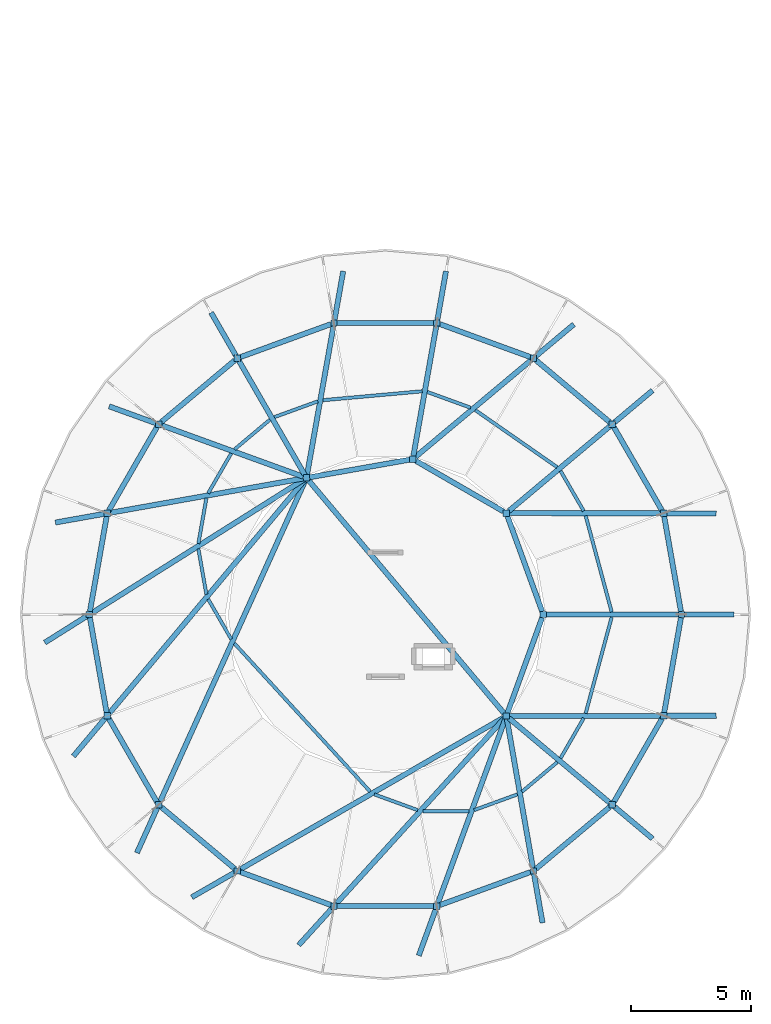
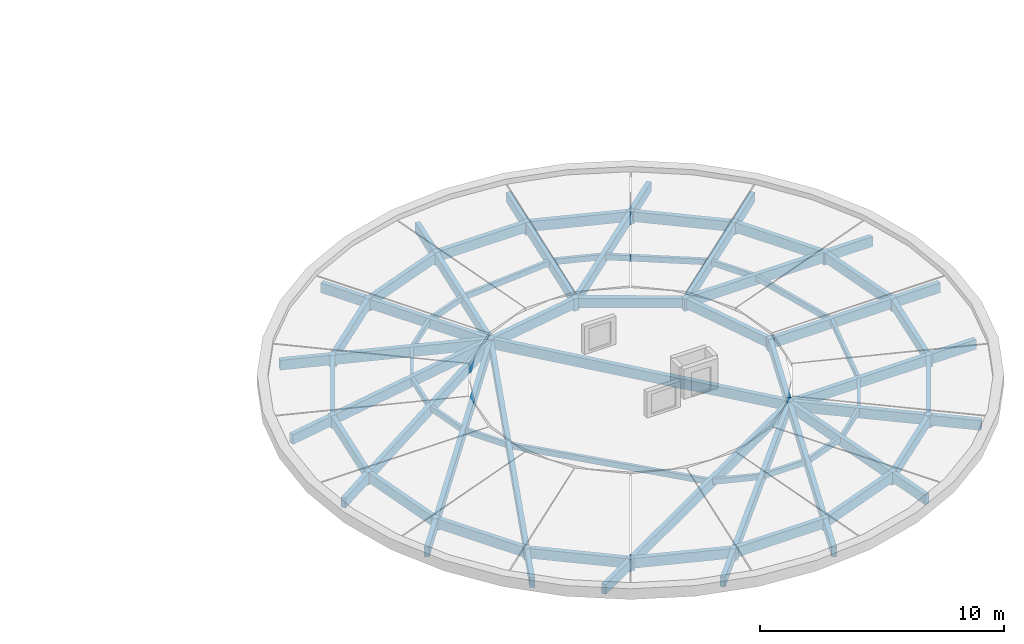
# One storey, part 2 of 14: 36 members, 23 beams, 23 columns.
"""IFC4 building model written with IfcOpenShell, lengths in metres."""

from ifc_helpers import new_model, si_unit, direction, frame, origin, origin_2d, place, context, subcontext, project, spatial, rectangle, extrude, material, material_profile, profile_set, type_object, element, save


model = new_model("IFC4")

# Units and contexts
model_context = context("Model", 3, precision=1e-05, world=origin(), true_north=direction((0.0, 1.0)))
body_context = subcontext(model_context, "Body", "Model", "MODEL_VIEW")
ifc_project = project(units=[si_unit("LENGTHUNIT", "METRE"), si_unit("AREAUNIT", "SQUARE_METRE"), si_unit("VOLUMEUNIT", "CUBIC_METRE"), si_unit("PLANEANGLEUNIT", "RADIAN"), si_unit("MASSUNIT", "GRAM", prefix="KILO")], contexts=[model_context])

# Site, building, storey
site_placement = place(None, origin())
site = spatial("IfcSite", under=ifc_project, at=site_placement, CompositionType="ELEMENT")
building_placement = place(site_placement, origin())
building = spatial("IfcBuilding", under=site, at=building_placement, Name="Aldenvaro Health Centre", CompositionType="ELEMENT")
storey_placement = place(building_placement, frame((0.0, 0.0, 21.35009765625)))
storey = spatial("IfcBuildingStorey", under=building, at=storey_placement, Name="L05", CompositionType="ELEMENT", Elevation=21.35009765625)

# Columns
ifc_material = material(Name="Glulam GL28h", Category="wood")
ifc_material_profile_1 = material_profile(ifc_material, rectangle(XDim=0.264892578125, YDim=0.264892578125, at=origin_2d()), Name="GL 265x265", Category="wood")
ifc_profile_set_1 = profile_set([ifc_material_profile_1], Name="Glulam GL28h")
column_type_1 = type_object("IfcColumnType", Name="COL-GL-265", PredefinedType="COLUMN", material=ifc_profile_set_1)
for number, where, z_axis, x_axis, name in (
    (1, (25.10009765625, 18.5, 0.0), (0.0, 0.0, 1.0), (1.0, 0.0, 0.0), "D5 Roof Hub Post 01"),
    (2, (23.555908203125, 22.741943359375, 0.0), (0.0, 0.0, 1.0), (1.0, 0.0, 0.0), "D5 Roof Hub Post 02"),
    (3, (19.64599609375, 25.0, 0.0), (0.0, 0.0, 1.0), (1.0, 0.0, 0.0), "D5 Roof Hub Post 03"),
    (4, (15.199951171875, 24.216064453125, 0.0), (0.0, 0.0, 1.0), (1.0, 0.0, 0.0), "D5 Roof Hub Post 04"),
    (5, (23.555908203125, 14.258056640625, 0.0), (0.0, 0.0, 1.0), (1.0, 0.0, 0.0), "D5 Roof Hub Post 05"),
):
    element("IfcColumn", number, at=place(storey_placement, frame(where, z_axis=z_axis, x_axis=x_axis)), inside=storey, type_object=column_type_1, Name=name, PredefinedType="COLUMN", context=body_context, shape_type="SweptSolid", body=[
        extrude(rectangle(XDim=0.264892578125, YDim=0.264892578125, at=origin_2d()), origin(), (0.0, 0.0, 1.0), 0.619873046875),
    ])
ifc_material_profile_2 = material_profile(ifc_material, rectangle(XDim=0.264892578125, YDim=0.264892578125, at=origin_2d()), Name="GL 265x265", Category="wood")
ifc_profile_set_2 = profile_set([ifc_material_profile_2], Name="Glulam GL28h")
column_type_2 = type_object("IfcColumnType", Name="COL-GL-265E", PredefinedType="COLUMN", material=ifc_profile_set_2)
for number, where, z_axis, x_axis, name in (
    (6, (30.8798828125, 18.5, 0.0), (0.0, 0.0, 1.0), (1.0, 0.0, 0.0), "D5 Roof Eave Post 01"),
    (7, (30.133056640625, 22.73388671875, 0.0), (0.0, 0.0, 1.0), (1.0, 0.0, 0.0), "D5 Roof Eave Post 02"),
    (8, (27.98388671875, 26.4580078125, 0.0), (0.0, 0.0, 1.0), (1.0, 0.0, 0.0), "D5 Roof Eave Post 03"),
    (9, (24.68994140625, 29.220947265625, 0.0), (0.0, 0.0, 1.0), (1.0, 0.0, 0.0), "D5 Roof Eave Post 04"),
    (10, (20.64990234375, 30.69189453125, 0.0), (0.0, 0.0, 1.0), (1.0, 0.0, 0.0), "D5 Roof Eave Post 05"),
    (11, (16.35009765625, 30.69189453125, 0.0), (0.0, 0.0, 1.0), (1.0, 0.0, 0.0), "D5 Roof Eave Post 06"),
    (12, (12.31005859375, 29.220947265625, 0.0), (0.0, 0.0, 1.0), (1.0, 0.0, 0.0), "D5 Roof Eave Post 07"),
    (13, (9.01611328125, 26.4580078125, 0.0), (0.0, 0.0, 1.0), (1.0, 0.0, 0.0), "D5 Roof Eave Post 08"),
    (14, (6.866943359375, 22.73388671875, 0.0), (0.0, 0.0, 1.0), (1.0, 0.0, 0.0), "D5 Roof Eave Post 09"),
    (15, (6.1201171875, 18.5, 0.0), (0.0, 0.0, 1.0), (1.0, 0.0, 0.0), "D5 Roof Eave Post 10"),
    (16, (6.866943359375, 14.26611328125, 0.0), (0.0, 0.0, 1.0), (1.0, 0.0, 0.0), "D5 Roof Eave Post 11"),
    (17, (9.01611328125, 10.5419921875, 0.0), (0.0, 0.0, 1.0), (1.0, 0.0, 0.0), "D5 Roof Eave Post 12"),
    (18, (12.31005859375, 7.779052734375, 0.0), (0.0, 0.0, 1.0), (1.0, 0.0, 0.0), "D5 Roof Eave Post 13"),
    (19, (16.35009765625, 6.30810546875, 0.0), (0.0, 0.0, 1.0), (1.0, 0.0, 0.0), "D5 Roof Eave Post 14"),
    (20, (20.64990234375, 6.30810546875, 0.0), (0.0, 0.0, 1.0), (1.0, 0.0, 0.0), "D5 Roof Eave Post 15"),
    (21, (24.68994140625, 7.779052734375, 0.0), (0.0, 0.0, 1.0), (1.0, 0.0, 0.0), "D5 Roof Eave Post 16"),
    (22, (27.98388671875, 10.5419921875, 0.0), (0.0, 0.0, 1.0), (1.0, 0.0, 0.0), "D5 Roof Eave Post 17"),
    (23, (30.133056640625, 14.26611328125, 0.0), (0.0, 0.0, 1.0), (1.0, 0.0, 0.0), "D5 Roof Eave Post 18"),
):
    element("IfcColumn", number, at=place(storey_placement, frame(where, z_axis=z_axis, x_axis=x_axis)), inside=storey, type_object=column_type_2, Name=name, PredefinedType="COLUMN", context=body_context, shape_type="SweptSolid", body=[
        extrude(rectangle(XDim=0.264892578125, YDim=0.264892578125, at=origin_2d()), origin(), (0.0, 0.0, 1.0), 0.619873046875),
    ])

# Beams
ifc_material_profile_3 = material_profile(ifc_material, rectangle(XDim=0.215087890625, YDim=0.493896484375, at=origin_2d()), Name="GL 215x494", Category="wood")
ifc_profile_set_3 = profile_set([ifc_material_profile_3], Name="Glulam GL28h")
beam_type = type_object("IfcBeamType", Name="BM-GL-494", PredefinedType="BEAM", material=ifc_profile_set_3)
beam_1_placement = place(storey_placement, frame((25.054931640625, 18.625, 0.372802734375), z_axis=(-0.34220903962, 0.939623846655, 0.0), x_axis=(-0.939623846655, -0.34220903962, 0.0)))
element("IfcBeam", 24, at=beam_1_placement, inside=storey, type_object=beam_type, Name="D5 Roof Hub Ring 01", PredefinedType="BEAM", context=body_context, shape_type="SweptSolid", body=[
    extrude(rectangle(XDim=0.215087890625, YDim=0.493896484375, at=origin_2d()), origin(), (0.0, 0.0, 1.0), 4.24853515625),
])
beam_2_placement = place(storey_placement, frame((23.44091796875, 22.80810546875, 0.372802734375), z_axis=(-0.86588608574, 0.50024122833, 0.0), x_axis=(-0.50024122833, -0.86588608574, 0.0)))
element("IfcBeam", 25, at=beam_2_placement, inside=storey, type_object=beam_type, Name="D5 Roof Hub Ring 02", PredefinedType="BEAM", context=body_context, shape_type="SweptSolid", body=[
    extrude(rectangle(XDim=0.215087890625, YDim=0.493896484375, at=origin_2d()), origin(), (0.0, 0.0, 1.0), 4.25),
])
beam_3_placement = place(storey_placement, frame((19.51611328125, 24.97705078125, 0.372802734375), z_axis=(-0.984810723231, -0.173631331875, 0.0), x_axis=(0.173631331875, -0.984810723231, 0.0)))
element("IfcBeam", 26, at=beam_3_placement, inside=storey, type_object=beam_type, Name="D5 Roof Hub Ring 03", PredefinedType="BEAM", context=body_context, shape_type="SweptSolid", body=[
    extrude(rectangle(XDim=0.215087890625, YDim=0.493896484375, at=origin_2d()), origin(), (0.0, 0.0, 1.0), 4.25048828125),
])
beam_4_placement = place(storey_placement, frame((15.284912109375, 24.114990234375, 0.372802734375), z_axis=(0.64277343117, -0.766056340083, 0.0), x_axis=(0.766056340083, 0.64277343117, 0.0)))
element("IfcBeam", 27, at=beam_4_placement, inside=storey, type_object=beam_type, Name="D5 Roof Hub Ring 04", PredefinedType="BEAM", context=body_context, shape_type="SweptSolid", body=[
    extrude(rectangle(XDim=0.215087890625, YDim=0.493896484375, at=origin_2d()), origin(), (0.0, 0.0, 1.0), 12.735595703125),
])
beam_5_placement = place(storey_placement, frame((23.60107421875, 14.383056640625, 0.372802734375), z_axis=(0.34220903962, 0.939623846655, 0.0), x_axis=(-0.939623846655, 0.34220903962, 0.0)))
element("IfcBeam", 28, at=beam_5_placement, inside=storey, type_object=beam_type, Name="D5 Roof Hub Ring 05", PredefinedType="BEAM", context=body_context, shape_type="SweptSolid", body=[
    extrude(rectangle(XDim=0.215087890625, YDim=0.493896484375, at=origin_2d()), origin(), (0.0, 0.0, 1.0), 4.24853515625),
])
beam_6_placement = place(storey_placement, frame((30.85693359375, 18.6298828125, 0.372802734375), z_axis=(-0.173692148687, 0.984799998723, 0.0), x_axis=(-0.984799998723, -0.173692148687, 0.0)))
element("IfcBeam", 29, at=beam_6_placement, inside=storey, type_object=beam_type, Name="D5 Roof Eave Ring 01", PredefinedType="BEAM", context=body_context, shape_type="SweptSolid", body=[
    extrude(rectangle(XDim=0.215087890625, YDim=0.493896484375, at=origin_2d()), origin(), (0.0, 0.0, 1.0), 4.035400390625),
])
beam_7_placement = place(storey_placement, frame((30.06689453125, 22.84912109375, 0.372802734375), z_axis=(-0.499933745558, 0.866063652425, 0.0), x_axis=(-0.866063652425, -0.499933745558, 0.0)))
element("IfcBeam", 30, at=beam_7_placement, inside=storey, type_object=beam_type, Name="D5 Roof Eave Ring 02", PredefinedType="BEAM", context=body_context, shape_type="SweptSolid", body=[
    extrude(rectangle(XDim=0.215087890625, YDim=0.493896484375, at=origin_2d()), origin(), (0.0, 0.0, 1.0), 4.0341796875),
])
beam_8_placement = place(storey_placement, frame((27.882080078125, 26.54296875, 0.372802734375), z_axis=(-0.766029066351, 0.642805934559, 0.0), x_axis=(-0.642805934559, -0.766029066351, 0.0)))
element("IfcBeam", 31, at=beam_8_placement, inside=storey, type_object=beam_type, Name="D5 Roof Eave Ring 03", PredefinedType="BEAM", context=body_context, shape_type="SweptSolid", body=[
    extrude(rectangle(XDim=0.215087890625, YDim=0.493896484375, at=origin_2d()), origin(), (0.0, 0.0, 1.0), 4.033935546875),
])
beam_9_placement = place(storey_placement, frame((24.56494140625, 29.26611328125, 0.372802734375), z_axis=(-0.939581186178, 0.342326152346, 0.0), x_axis=(-0.342326152346, -0.939581186178, 0.0)))
element("IfcBeam", 32, at=beam_9_placement, inside=storey, type_object=beam_type, Name="D5 Roof Eave Ring 04", PredefinedType="BEAM", context=body_context, shape_type="SweptSolid", body=[
    extrude(rectangle(XDim=0.215087890625, YDim=0.493896484375, at=origin_2d()), origin(), (0.0, 0.0, 1.0), 4.03369140625),
])
beam_10_placement = place(storey_placement, frame((20.51708984375, 30.69189453125, 0.372802734375), z_axis=(-1.0, 0.0, 0.0), x_axis=(0.0, -1.0, 0.0)))
element("IfcBeam", 33, at=beam_10_placement, inside=storey, type_object=beam_type, Name="D5 Roof Eave Ring 05", PredefinedType="BEAM", context=body_context, shape_type="SweptSolid", body=[
    extrude(rectangle(XDim=0.215087890625, YDim=0.493896484375, at=origin_2d()), origin(), (0.0, 0.0, 1.0), 4.0341796875),
])
beam_11_placement = place(storey_placement, frame((16.22509765625, 30.64697265625, 0.372802734375), z_axis=(-0.939581186178, -0.342326152346, 0.0), x_axis=(0.342326152346, -0.939581186178, 0.0)))
element("IfcBeam", 34, at=beam_11_placement, inside=storey, type_object=beam_type, Name="D5 Roof Eave Ring 06", PredefinedType="BEAM", context=body_context, shape_type="SweptSolid", body=[
    extrude(rectangle(XDim=0.215087890625, YDim=0.493896484375, at=origin_2d()), origin(), (0.0, 0.0, 1.0), 4.03369140625),
])
beam_12_placement = place(storey_placement, frame((12.2080078125, 29.135986328125, 0.372802734375), z_axis=(-0.766029066351, -0.642805934559, 0.0), x_axis=(0.642805934559, -0.766029066351, 0.0)))
element("IfcBeam", 35, at=beam_12_placement, inside=storey, type_object=beam_type, Name="D5 Roof Eave Ring 07", PredefinedType="BEAM", context=body_context, shape_type="SweptSolid", body=[
    extrude(rectangle(XDim=0.215087890625, YDim=0.493896484375, at=origin_2d()), origin(), (0.0, 0.0, 1.0), 4.033935546875),
])
beam_13_placement = place(storey_placement, frame((8.949951171875, 26.343017578125, 0.372802734375), z_axis=(-0.499933745558, -0.866063652425, 0.0), x_axis=(0.866063652425, -0.499933745558, 0.0)))
element("IfcBeam", 36, at=beam_13_placement, inside=storey, type_object=beam_type, Name="D5 Roof Eave Ring 08", PredefinedType="BEAM", context=body_context, shape_type="SweptSolid", body=[
    extrude(rectangle(XDim=0.215087890625, YDim=0.493896484375, at=origin_2d()), origin(), (0.0, 0.0, 1.0), 4.0341796875),
])
for number, where, z_axis, x_axis, name in (
    (37, (6.843994140625, 22.60400390625, 0.372802734375), (-0.173692148687, -0.984799998723, 0.0), (0.984799998723, -0.173692148687, 0.0), "D5 Roof Eave Ring 09"),
    (38, (6.14306640625, 18.3701171875, 0.372802734375), (0.173692148687, -0.984799998723, 0.0), (0.984799998723, 0.173692148687, 0.0), "D5 Roof Eave Ring 10"),
):
    element("IfcBeam", number, at=place(storey_placement, frame(where, z_axis=z_axis, x_axis=x_axis)), inside=storey, type_object=beam_type, Name=name, PredefinedType="BEAM", context=body_context, shape_type="SweptSolid", body=[
        extrude(rectangle(XDim=0.215087890625, YDim=0.493896484375, at=origin_2d()), origin(), (0.0, 0.0, 1.0), 4.035400390625),
    ])
beam_14_placement = place(storey_placement, frame((6.93310546875, 14.15087890625, 0.372802734375), z_axis=(0.499933745558, -0.866063652425, 0.0), x_axis=(0.866063652425, 0.499933745558, 0.0)))
element("IfcBeam", 39, at=beam_14_placement, inside=storey, type_object=beam_type, Name="D5 Roof Eave Ring 11", PredefinedType="BEAM", context=body_context, shape_type="SweptSolid", body=[
    extrude(rectangle(XDim=0.215087890625, YDim=0.493896484375, at=origin_2d()), origin(), (0.0, 0.0, 1.0), 4.0341796875),
])
beam_15_placement = place(storey_placement, frame((9.117919921875, 10.45703125, 0.372802734375), z_axis=(0.766029066351, -0.642805934559, 0.0), x_axis=(0.642805934559, 0.766029066351, 0.0)))
element("IfcBeam", 40, at=beam_15_placement, inside=storey, type_object=beam_type, Name="D5 Roof Eave Ring 12", PredefinedType="BEAM", context=body_context, shape_type="SweptSolid", body=[
    extrude(rectangle(XDim=0.215087890625, YDim=0.493896484375, at=origin_2d()), origin(), (0.0, 0.0, 1.0), 4.033935546875),
])
beam_16_placement = place(storey_placement, frame((12.43505859375, 7.73388671875, 0.372802734375), z_axis=(0.939581186178, -0.342326152346, 0.0), x_axis=(0.342326152346, 0.939581186178, 0.0)))
element("IfcBeam", 41, at=beam_16_placement, inside=storey, type_object=beam_type, Name="D5 Roof Eave Ring 13", PredefinedType="BEAM", context=body_context, shape_type="SweptSolid", body=[
    extrude(rectangle(XDim=0.215087890625, YDim=0.493896484375, at=origin_2d()), origin(), (0.0, 0.0, 1.0), 4.03369140625),
])
beam_17_placement = place(storey_placement, frame((16.48291015625, 6.30810546875, 0.372802734375), z_axis=(1.0, 0.0, 0.0), x_axis=(0.0, 1.0, 0.0)))
element("IfcBeam", 42, at=beam_17_placement, inside=storey, type_object=beam_type, Name="D5 Roof Eave Ring 14", PredefinedType="BEAM", context=body_context, shape_type="SweptSolid", body=[
    extrude(rectangle(XDim=0.215087890625, YDim=0.493896484375, at=origin_2d()), origin(), (0.0, 0.0, 1.0), 4.0341796875),
])
beam_18_placement = place(storey_placement, frame((20.77490234375, 6.35302734375, 0.372802734375), z_axis=(0.939581186178, 0.342326152346, 0.0), x_axis=(-0.342326152346, 0.939581186178, 0.0)))
element("IfcBeam", 43, at=beam_18_placement, inside=storey, type_object=beam_type, Name="D5 Roof Eave Ring 15", PredefinedType="BEAM", context=body_context, shape_type="SweptSolid", body=[
    extrude(rectangle(XDim=0.215087890625, YDim=0.493896484375, at=origin_2d()), origin(), (0.0, 0.0, 1.0), 4.03369140625),
])
beam_19_placement = place(storey_placement, frame((24.7919921875, 7.864013671875, 0.372802734375), z_axis=(0.766029066351, 0.642805934559, 0.0), x_axis=(-0.642805934559, 0.766029066351, 0.0)))
element("IfcBeam", 44, at=beam_19_placement, inside=storey, type_object=beam_type, Name="D5 Roof Eave Ring 16", PredefinedType="BEAM", context=body_context, shape_type="SweptSolid", body=[
    extrude(rectangle(XDim=0.215087890625, YDim=0.493896484375, at=origin_2d()), origin(), (0.0, 0.0, 1.0), 4.033935546875),
])
beam_20_placement = place(storey_placement, frame((28.050048828125, 10.656982421875, 0.372802734375), z_axis=(0.499933745558, 0.866063652425, 0.0), x_axis=(-0.866063652425, 0.499933745558, 0.0)))
element("IfcBeam", 45, at=beam_20_placement, inside=storey, type_object=beam_type, Name="D5 Roof Eave Ring 17", PredefinedType="BEAM", context=body_context, shape_type="SweptSolid", body=[
    extrude(rectangle(XDim=0.215087890625, YDim=0.493896484375, at=origin_2d()), origin(), (0.0, 0.0, 1.0), 4.0341796875),
])
beam_21_placement = place(storey_placement, frame((30.156005859375, 14.39599609375, 0.372802734375), z_axis=(0.173692148687, 0.984799998723, 0.0), x_axis=(-0.984799998723, 0.173692148687, 0.0)))
element("IfcBeam", 46, at=beam_21_placement, inside=storey, type_object=beam_type, Name="D5 Roof Eave Ring 18", PredefinedType="BEAM", context=body_context, shape_type="SweptSolid", body=[
    extrude(rectangle(XDim=0.215087890625, YDim=0.493896484375, at=origin_2d()), origin(), (0.0, 0.0, 1.0), 4.035400390625),
])

# Members
ifc_material_profile_4 = material_profile(ifc_material, rectangle(XDim=0.139892578125, YDim=0.280029296875, at=origin_2d()), Name="GL 140x280", Category="wood")
ifc_profile_set_4 = profile_set([ifc_material_profile_4], Name="Glulam GL28h")
member_type_1 = type_object("IfcMemberType", Name="MEM-PR-280", PredefinedType="PURLIN", material=ifc_profile_set_4)
member_1_placement = place(storey_placement, frame((27.9609375, 18.60595703125, 0.47998046875), z_axis=(-0.260852995536, 0.965378534421, 0.0), x_axis=(-0.965378534421, -0.260852995536, 0.0)))
element("IfcMember", 47, at=member_1_placement, inside=storey, type_object=member_type_1, Name="D5 Roof Purlin 01", PredefinedType="PURLIN", context=body_context, shape_type="SweptSolid", body=[
    extrude(rectangle(XDim=0.139892578125, YDim=0.280029296875, at=origin_2d()), origin(), (0.0, 0.0, 1.0), 4.17041015625),
])
member_2_placement = place(storey_placement, frame((26.7900390625, 22.8330078125, 0.47998046875), z_axis=(-0.499934110126, 0.866063441979, 0.0), x_axis=(-0.866063441979, -0.499934110126, 0.0)))
element("IfcMember", 48, at=member_2_placement, inside=storey, type_object=member_type_1, Name="D5 Roof Purlin 02", PredefinedType="PURLIN", context=body_context, shape_type="SweptSolid", body=[
    extrude(rectangle(XDim=0.139892578125, YDim=0.280029296875, at=origin_2d()), origin(), (0.0, 0.0, 1.0), 1.930419921875),
])
member_3_placement = place(storey_placement, frame((25.679931640625, 24.6630859375, 0.47998046875), z_axis=(-0.82039067831, 0.571803405851, 0.0), x_axis=(-0.571803405851, -0.82039067831, 0.0)))
element("IfcMember", 49, at=member_3_placement, inside=storey, type_object=member_type_1, Name="D5 Roof Purlin 03", PredefinedType="PURLIN", context=body_context, shape_type="SweptSolid", body=[
    extrude(rectangle(XDim=0.139892578125, YDim=0.280029296875, at=origin_2d()), origin(), (0.0, 0.0, 1.0), 4.171142578125),
])
member_4_placement = place(storey_placement, frame((22.06494140625, 27.14794921875, 0.47998046875), z_axis=(-0.939704767492, 0.341986768681, 0.0), x_axis=(-0.341986768681, -0.939704767492, 0.0)))
element("IfcMember", 50, at=member_4_placement, inside=storey, type_object=member_type_1, Name="D5 Roof Purlin 04", PredefinedType="PURLIN", context=body_context, shape_type="SweptSolid", body=[
    extrude(rectangle(XDim=0.139892578125, YDim=0.280029296875, at=origin_2d()), origin(), (0.0, 0.0, 1.0), 1.930419921875),
])
member_5_placement = place(storey_placement, frame((20.0380859375, 27.8359375, 0.47998046875), z_axis=(-0.996016096662, -0.089173623844, 0.0), x_axis=(0.089173623844, -0.996016096662, 0.0)))
element("IfcMember", 51, at=member_5_placement, inside=storey, type_object=member_type_1, Name="D5 Roof Purlin 05", PredefinedType="PURLIN", context=body_context, shape_type="SweptSolid", body=[
    extrude(rectangle(XDim=0.139892578125, YDim=0.280029296875, at=origin_2d()), origin(), (0.0, 0.0, 1.0), 4.169677734375),
])
member_6_placement = place(storey_placement, frame((15.672119140625, 27.416015625, 0.47998046875), z_axis=(-0.93976018741, -0.341834448468, 0.0), x_axis=(0.341834448468, -0.93976018741, 0.0)))
element("IfcMember", 52, at=member_6_placement, inside=storey, type_object=member_type_1, Name="D5 Roof Purlin 06", PredefinedType="PURLIN", context=body_context, shape_type="SweptSolid", body=[
    extrude(rectangle(XDim=0.139892578125, YDim=0.280029296875, at=origin_2d()), origin(), (0.0, 0.0, 1.0), 1.930419921875),
])
member_7_placement = place(storey_placement, frame((13.6708984375, 26.64794921875, 0.47998046875), z_axis=(-0.766310066548, -0.642470919114, 0.0), x_axis=(0.642470919114, -0.766310066548, 0.0)))
element("IfcMember", 53, at=member_7_placement, inside=storey, type_object=member_type_1, Name="D5 Roof Purlin 07", PredefinedType="PURLIN", context=body_context, shape_type="SweptSolid", body=[
    extrude(rectangle(XDim=0.139892578125, YDim=0.280029296875, at=origin_2d()), origin(), (0.0, 0.0, 1.0), 1.929931640625),
])
member_8_placement = place(storey_placement, frame((12.052978515625, 25.241943359375, 0.47998046875), z_axis=(-0.499934110126, -0.866063441979, 0.0), x_axis=(0.866063441979, -0.499934110126, 0.0)))
element("IfcMember", 54, at=member_8_placement, inside=storey, type_object=member_type_1, Name="D5 Roof Purlin 08", PredefinedType="PURLIN", context=body_context, shape_type="SweptSolid", body=[
    extrude(rectangle(XDim=0.139892578125, YDim=0.280029296875, at=origin_2d()), origin(), (0.0, 0.0, 1.0), 1.930419921875),
])
for number, where, z_axis, x_axis, name in (
    (55, (11.013916015625, 23.366943359375, 0.47998046875), (-0.17353999491, -0.984826822425, 0.0), (0.984826822425, -0.17353999491, 0.0), "D5 Roof Purlin 09"),
    (56, (10.678955078125, 21.25, 0.47998046875), (0.17353999491, -0.984826822425, 0.0), (0.984826822425, 0.17353999491, 0.0), "D5 Roof Purlin 10"),
):
    element("IfcMember", number, at=place(storey_placement, frame(where, z_axis=z_axis, x_axis=x_axis)), inside=storey, type_object=member_type_1, Name=name, PredefinedType="PURLIN", context=body_context, shape_type="SweptSolid", body=[
        extrude(rectangle(XDim=0.139892578125, YDim=0.280029296875, at=origin_2d()), origin(), (0.0, 0.0, 1.0), 1.93017578125),
    ])
member_9_placement = place(storey_placement, frame((11.087890625, 19.14599609375, 0.47998046875), z_axis=(0.499934110126, -0.866063441979, 0.0), x_axis=(0.866063441979, 0.499934110126, 0.0)))
element("IfcMember", 57, at=member_9_placement, inside=storey, type_object=member_type_1, Name="D5 Roof Purlin 11", PredefinedType="PURLIN", context=body_context, shape_type="SweptSolid", body=[
    extrude(rectangle(XDim=0.139892578125, YDim=0.280029296875, at=origin_2d()), origin(), (0.0, 0.0, 1.0), 1.930419921875),
])
member_10_placement = place(storey_placement, frame((12.181884765625, 17.298095703125, 0.47998046875), z_axis=(0.675433885036, -0.737420549581, 0.0), x_axis=(0.737420549581, 0.675433885036, 0.0)))
element("IfcMember", 58, at=member_10_placement, inside=storey, type_object=member_type_1, Name="D5 Roof Purlin 12", PredefinedType="PURLIN", context=body_context, shape_type="SweptSolid", body=[
    extrude(rectangle(XDim=0.139892578125, YDim=0.280029296875, at=origin_2d()), origin(), (0.0, 0.0, 1.0), 8.405029296875),
])
member_11_placement = place(storey_placement, frame((18.035888671875, 10.98095703125, 0.47998046875), z_axis=(0.93976018741, -0.341834448468, 0.0), x_axis=(0.341834448468, 0.93976018741, 0.0)))
element("IfcMember", 59, at=member_11_placement, inside=storey, type_object=member_type_1, Name="D5 Roof Purlin 13", PredefinedType="PURLIN", context=body_context, shape_type="SweptSolid", body=[
    extrude(rectangle(XDim=0.139892578125, YDim=0.280029296875, at=origin_2d()), origin(), (0.0, 0.0, 1.0), 1.930419921875),
])
member_12_placement = place(storey_placement, frame((20.06298828125, 10.282958984375, 0.47998046875), z_axis=(1.0, 0.0, 0.0), x_axis=(0.0, 1.0, 0.0)))
element("IfcMember", 60, at=member_12_placement, inside=storey, type_object=member_type_1, Name="D5 Roof Purlin 14", PredefinedType="PURLIN", context=body_context, shape_type="SweptSolid", body=[
    extrude(rectangle(XDim=0.139892578125, YDim=0.280029296875, at=origin_2d()), origin(), (0.0, 0.0, 1.0), 1.929931640625),
])
member_13_placement = place(storey_placement, frame((22.2060546875, 10.321044921875, 0.47998046875), z_axis=(0.939745407259, 0.341875078845, 0.0), x_axis=(-0.341875078845, 0.939745407259, 0.0)))
element("IfcMember", 61, at=member_13_placement, inside=storey, type_object=member_type_1, Name="D5 Roof Purlin 15", PredefinedType="PURLIN", context=body_context, shape_type="SweptSolid", body=[
    extrude(rectangle(XDim=0.139892578125, YDim=0.280029296875, at=origin_2d()), origin(), (0.0, 0.0, 1.0), 1.93017578125),
])
member_14_placement = place(storey_placement, frame((24.20703125, 11.089111328125, 0.47998046875), z_axis=(0.766310066548, 0.642470919114, 0.0), x_axis=(-0.642470919114, 0.766310066548, 0.0)))
element("IfcMember", 62, at=member_14_placement, inside=storey, type_object=member_type_1, Name="D5 Roof Purlin 16", PredefinedType="PURLIN", context=body_context, shape_type="SweptSolid", body=[
    extrude(rectangle(XDim=0.139892578125, YDim=0.280029296875, at=origin_2d()), origin(), (0.0, 0.0, 1.0), 1.929931640625),
])
member_15_placement = place(storey_placement, frame((25.824951171875, 12.4951171875, 0.47998046875), z_axis=(0.499934110126, 0.866063441979, 0.0), x_axis=(-0.866063441979, 0.499934110126, 0.0)))
element("IfcMember", 63, at=member_15_placement, inside=storey, type_object=member_type_1, Name="D5 Roof Purlin 17", PredefinedType="PURLIN", context=body_context, shape_type="SweptSolid", body=[
    extrude(rectangle(XDim=0.139892578125, YDim=0.280029296875, at=origin_2d()), origin(), (0.0, 0.0, 1.0), 1.930419921875),
])
member_16_placement = place(storey_placement, frame((26.873046875, 14.367919921875, 0.47998046875), z_axis=(0.260852995536, 0.965378534421, 0.0), x_axis=(-0.965378534421, 0.260852995536, 0.0)))
element("IfcMember", 64, at=member_16_placement, inside=storey, type_object=member_type_1, Name="D5 Roof Purlin 18", PredefinedType="PURLIN", context=body_context, shape_type="SweptSolid", body=[
    extrude(rectangle(XDim=0.139892578125, YDim=0.280029296875, at=origin_2d()), origin(), (0.0, 0.0, 1.0), 4.17041015625),
])
ifc_material_profile_5 = material_profile(ifc_material, rectangle(XDim=0.215087890625, YDim=0.493896484375, at=origin_2d()), Name="GL 215x494", Category="wood")
ifc_profile_set_5 = profile_set([ifc_material_profile_5], Name="Glulam GL28h")
member_type_2 = type_object("IfcMemberType", Name="MEM-RF-494", PredefinedType="RAFTER", material=ifc_profile_set_5)
member_17_placement = place(storey_placement, frame((33.080078125, 18.5, 0.372802734375), z_axis=(-1.0, 0.0, 0.0), x_axis=(0.0, -1.0, 0.0)))
element("IfcMember", 65, at=member_17_placement, inside=storey, type_object=member_type_2, Name="D5 Radial Overhang Rafter 01", PredefinedType="RAFTER", context=body_context, shape_type="SweptSolid", body=[
    extrude(rectangle(XDim=0.215087890625, YDim=0.493896484375, at=origin_2d()), origin(), (0.0, 0.0, 1.0), 7.840087890625),
])
member_18_placement = place(storey_placement, frame((32.3330078125, 22.73095703125, 0.372802734375), z_axis=(-0.999999190993, 0.001272011861, 0.0), x_axis=(-0.001272011861, -0.999999190993, 0.0)))
element("IfcMember", 66, at=member_18_placement, inside=storey, type_object=member_type_2, Name="D5 Radial Overhang Rafter 02", PredefinedType="RAFTER", context=body_context, shape_type="SweptSolid", body=[
    extrude(rectangle(XDim=0.215087890625, YDim=0.493896484375, at=origin_2d()), origin(), (0.0, 0.0, 1.0), 8.636962890625),
])
member_19_placement = place(storey_placement, frame((29.6689453125, 27.8720703125, 0.372802734375), z_axis=(-0.766011490792, -0.642826878696, 0.0), x_axis=(0.642826878696, -0.766011490792, 0.0)))
element("IfcMember", 67, at=member_19_placement, inside=storey, type_object=member_type_2, Name="D5 Radial Overhang Rafter 03", PredefinedType="RAFTER", context=body_context, shape_type="SweptSolid", body=[
    extrude(rectangle(XDim=0.215087890625, YDim=0.493896484375, at=origin_2d()), origin(), (0.0, 0.0, 1.0), 7.84033203125),
])
member_20_placement = place(storey_placement, frame((26.376953125, 30.633056640625, 0.372802734375), z_axis=(-0.766912956239, -0.641751133659, 0.0), x_axis=(0.641751133659, -0.766912956239, 0.0)))
element("IfcMember", 68, at=member_20_placement, inside=storey, type_object=member_type_2, Name="D5 Radial Overhang Rafter 04", PredefinedType="RAFTER", context=body_context, shape_type="SweptSolid", body=[
    extrude(rectangle(XDim=0.215087890625, YDim=0.493896484375, at=origin_2d()), origin(), (0.0, 0.0, 1.0), 8.63720703125),
])
member_21_placement = place(storey_placement, frame((21.031982421875, 32.85888671875, 0.372802734375), z_axis=(-0.173728487959, -0.984793588764, 0.0), x_axis=(0.984793588764, -0.173728487959, 0.0)))
element("IfcMember", 69, at=member_21_placement, inside=storey, type_object=member_type_2, Name="D5 Radial Overhang Rafter 05", PredefinedType="RAFTER", context=body_context, shape_type="SweptSolid", body=[
    extrude(rectangle(XDim=0.215087890625, YDim=0.493896484375, at=origin_2d()), origin(), (0.0, 0.0, 1.0), 7.840087890625),
])
member_22_placement = place(storey_placement, frame((16.735107421875, 32.85791015625, 0.372802734375), z_axis=(-0.174941390014, -0.984578849082, 0.0), x_axis=(0.984578849082, -0.174941390014, 0.0)))
element("IfcMember", 70, at=member_22_placement, inside=storey, type_object=member_type_2, Name="D5 Radial Overhang Rafter 06", PredefinedType="RAFTER", context=body_context, shape_type="SweptSolid", body=[
    extrude(rectangle(XDim=0.215087890625, YDim=0.493896484375, at=origin_2d()), origin(), (0.0, 0.0, 1.0), 8.63720703125),
])
member_23_placement = place(storey_placement, frame((11.2099609375, 31.1259765625, 0.372802734375), z_axis=(0.500024377727, -0.866011328839, 0.0), x_axis=(0.866011328839, 0.500024377727, 0.0)))
element("IfcMember", 71, at=member_23_placement, inside=storey, type_object=member_type_2, Name="D5 Radial Overhang Rafter 07", PredefinedType="RAFTER", context=body_context, shape_type="SweptSolid", body=[
    extrude(rectangle(XDim=0.215087890625, YDim=0.493896484375, at=origin_2d()), origin(), (0.0, 0.0, 1.0), 7.83935546875),
])
member_24_placement = place(storey_placement, frame((6.947998046875, 27.2080078125, 0.372802734375), z_axis=(0.940115686915, -0.340855534231, 0.0), x_axis=(0.340855534231, 0.940115686915, 0.0)))
element("IfcMember", 72, at=member_24_placement, inside=storey, type_object=member_type_2, Name="D5 Radial Overhang Rafter 08", PredefinedType="RAFTER", context=body_context, shape_type="SweptSolid", body=[
    extrude(rectangle(XDim=0.215087890625, YDim=0.493896484375, at=origin_2d()), origin(), (0.0, 0.0, 1.0), 8.637451171875),
])
member_25_placement = place(storey_placement, frame((4.700927734375, 22.34912109375, 0.372802734375), z_axis=(0.984565350683, 0.175017342669, 0.0), x_axis=(-0.175017342669, 0.984565350683, 0.0)))
element("IfcMember", 73, at=member_25_placement, inside=storey, type_object=member_type_2, Name="D5 Radial Overhang Rafter 09", PredefinedType="RAFTER", context=body_context, shape_type="SweptSolid", body=[
    extrude(rectangle(XDim=0.215087890625, YDim=0.493896484375, at=origin_2d()), origin(), (0.0, 0.0, 1.0), 10.5234375),
])
member_26_placement = place(storey_placement, frame((4.258056640625, 17.327880859375, 0.372802734375), z_axis=(0.846298500367, 0.532708971462, 0.0), x_axis=(-0.532708971462, 0.846298500367, 0.0)))
element("IfcMember", 74, at=member_26_placement, inside=storey, type_object=member_type_2, Name="D5 Radial Overhang Rafter 10", PredefinedType="RAFTER", context=body_context, shape_type="SweptSolid", body=[
    extrude(rectangle(XDim=0.215087890625, YDim=0.493896484375, at=origin_2d()), origin(), (0.0, 0.0, 1.0), 12.789794921875),
])
member_27_placement = place(storey_placement, frame((5.4541015625, 12.5791015625, 0.372802734375), z_axis=(0.642060277393, 0.766654159444, 0.0), x_axis=(-0.766654159444, 0.642060277393, 0.0)))
element("IfcMember", 75, at=member_27_placement, inside=storey, type_object=member_type_2, Name="D5 Radial Overhang Rafter 11", PredefinedType="RAFTER", context=body_context, shape_type="SweptSolid", body=[
    extrude(rectangle(XDim=0.215087890625, YDim=0.493896484375, at=origin_2d()), origin(), (0.0, 0.0, 1.0), 15.0390625),
])
member_28_placement = place(storey_placement, frame((8.10888671875, 8.537109375, 0.372802734375), z_axis=(0.412086443154, 0.911144754344, 0.0), x_axis=(-0.911144754344, 0.412086443154, 0.0)))
element("IfcMember", 76, at=member_28_placement, inside=storey, type_object=member_type_2, Name="D5 Radial Overhang Rafter 12", PredefinedType="RAFTER", context=body_context, shape_type="SweptSolid", body=[
    extrude(rectangle(XDim=0.215087890625, YDim=0.493896484375, at=origin_2d()), origin(), (0.0, 0.0, 1.0), 17.0673828125),
])
member_29_placement = place(storey_placement, frame((10.404052734375, 6.680908203125, 0.372802734375), z_axis=(0.866496497235, 0.49918315304, 0.0), x_axis=(-0.49918315304, 0.866496497235, 0.0)))
element("IfcMember", 77, at=member_29_placement, inside=storey, type_object=member_type_2, Name="D5 Radial Overhang Rafter 13", PredefinedType="RAFTER", context=body_context, shape_type="SweptSolid", body=[
    extrude(rectangle(XDim=0.215087890625, YDim=0.493896484375, at=origin_2d()), origin(), (0.0, 0.0, 1.0), 15.038818359375),
])
member_30_placement = place(storey_placement, frame((14.873046875, 4.677978515625, 0.372802734375), z_axis=(0.671569864594, 0.74094123719, 0.0), x_axis=(-0.74094123719, 0.671569864594, 0.0)))
element("IfcMember", 78, at=member_30_placement, inside=storey, type_object=member_type_2, Name="D5 Radial Overhang Rafter 14", PredefinedType="RAFTER", context=body_context, shape_type="SweptSolid", body=[
    extrude(rectangle(XDim=0.215087890625, YDim=0.493896484375, at=origin_2d()), origin(), (0.0, 0.0, 1.0), 12.789306640625),
])
member_31_placement = place(storey_placement, frame((19.89501953125, 4.241943359375, 0.372802734375), z_axis=(0.343294094893, 0.939227961898, 0.0), x_axis=(-0.939227961898, 0.343294094893, 0.0)))
element("IfcMember", 79, at=member_31_placement, inside=storey, type_object=member_type_2, Name="D5 Radial Overhang Rafter 15", PredefinedType="RAFTER", context=body_context, shape_type="SweptSolid", body=[
    extrude(rectangle(XDim=0.215087890625, YDim=0.493896484375, at=origin_2d()), origin(), (0.0, 0.0, 1.0), 10.524658203125),
])
member_32_placement = place(storey_placement, frame((25.069091796875, 5.612060546875, 0.372802734375), z_axis=(-0.172391987664, 0.9850284273, 0.0), x_axis=(-0.9850284273, -0.172391987664, 0.0)))
element("IfcMember", 80, at=member_32_placement, inside=storey, type_object=member_type_2, Name="D5 Radial Overhang Rafter 16", PredefinedType="RAFTER", context=body_context, shape_type="SweptSolid", body=[
    extrude(rectangle(XDim=0.215087890625, YDim=0.493896484375, at=origin_2d()), origin(), (0.0, 0.0, 1.0), 8.637451171875),
])
member_33_placement = place(storey_placement, frame((29.6689453125, 9.1279296875, 0.372802734375), z_axis=(-0.766011490792, 0.642826878696, 0.0), x_axis=(-0.642826878696, -0.766011490792, 0.0)))
element("IfcMember", 81, at=member_33_placement, inside=storey, type_object=member_type_2, Name="D5 Radial Overhang Rafter 17", PredefinedType="RAFTER", context=body_context, shape_type="SweptSolid", body=[
    extrude(rectangle(XDim=0.215087890625, YDim=0.493896484375, at=origin_2d()), origin(), (0.0, 0.0, 1.0), 7.84033203125),
])
member_34_placement = place(storey_placement, frame((32.3330078125, 14.26904296875, 0.372802734375), z_axis=(-0.999999190993, -0.001272011861, 0.0), x_axis=(0.001272011861, -0.999999190993, 0.0)))
element("IfcMember", 82, at=member_34_placement, inside=storey, type_object=member_type_2, Name="D5 Radial Overhang Rafter 18", PredefinedType="RAFTER", context=body_context, shape_type="SweptSolid", body=[
    extrude(rectangle(XDim=0.215087890625, YDim=0.493896484375, at=origin_2d()), origin(), (0.0, 0.0, 1.0), 8.636962890625),
])

save(model, "model.ifc")
